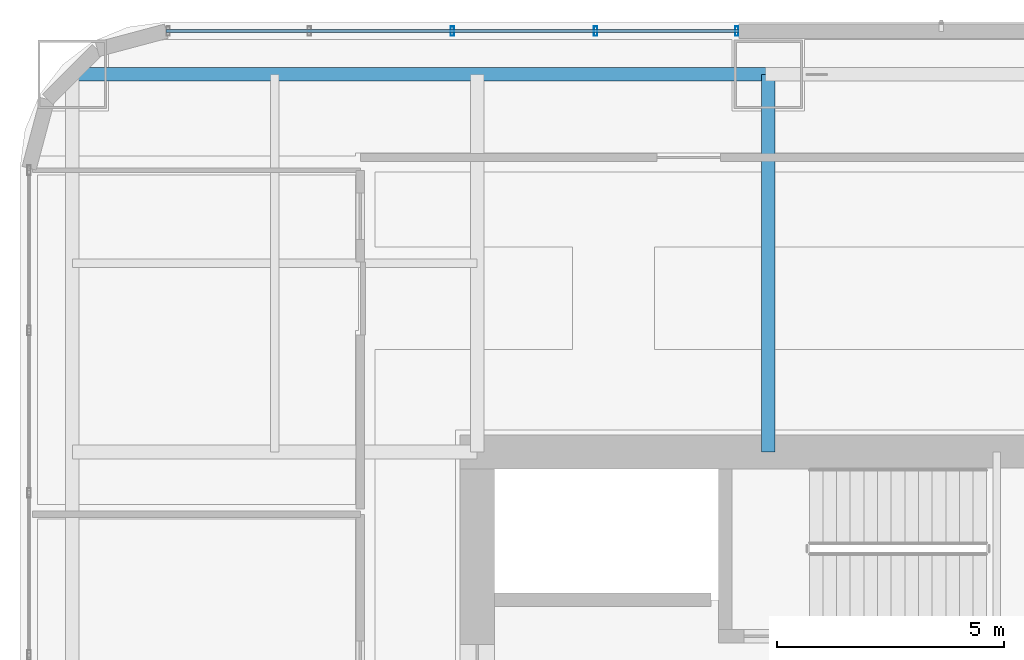
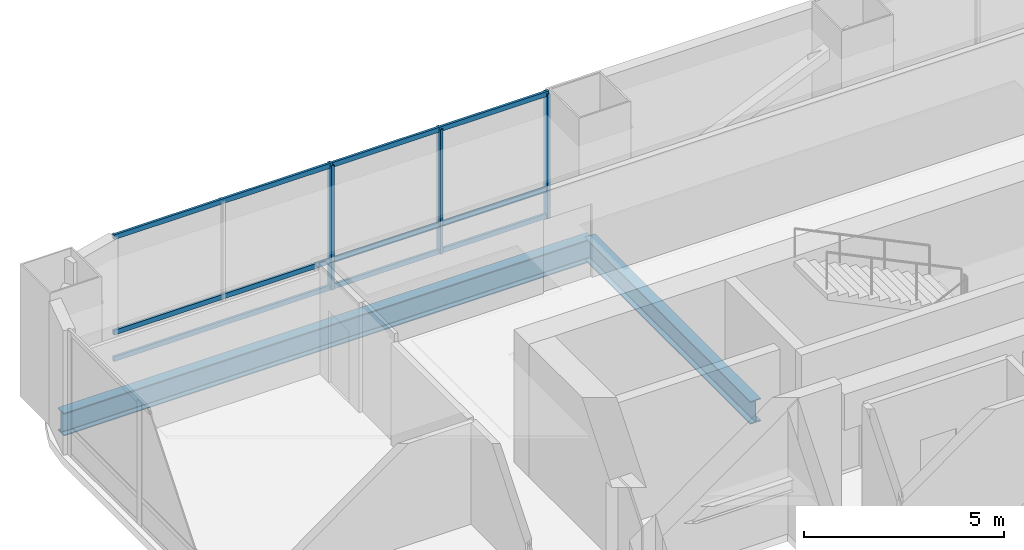
# One storey, part 18 of 40: 6 members, 2 beams, 1 element without a shape of its own.
"""IFC4 building model written with IfcOpenShell, lengths in metres."""

from ifc_helpers import new_model, si_unit, direction, frame, origin, origin_2d, place, context, subcontext, project, spatial, hollow_rectangle, i_section, extrude, material, material_profile, profile_set, type_object, element, aggregate, save


model = new_model("IFC4")

# Units and contexts
model_context = context("Model", 3, precision=1e-05, world=origin(), true_north=direction((0.0, 1.0)))
body_context = subcontext(model_context, "Body", "Model", "MODEL_VIEW")
ifc_project = project(units=[si_unit("LENGTHUNIT", "METRE"), si_unit("AREAUNIT", "SQUARE_METRE"), si_unit("VOLUMEUNIT", "CUBIC_METRE"), si_unit("PLANEANGLEUNIT", "RADIAN"), si_unit("MASSUNIT", "GRAM", prefix="KILO")], contexts=[model_context])

# Site, building, storey
site_placement = place(None, origin())
site = spatial("IfcSite", under=ifc_project, at=site_placement, CompositionType="ELEMENT")
building_placement = place(site_placement, origin())
building = spatial("IfcBuilding", under=site, at=building_placement, Name="Punatoya Terracotta Tower", CompositionType="ELEMENT")
storey_placement = place(building_placement, frame((0.0, 0.0, 76.800048828125)))
storey = spatial("IfcBuildingStorey", under=building, at=storey_placement, Name="L17", CompositionType="ELEMENT", Elevation=76.800048828125)

# Beams
ifc_material_1 = material(Name="Steel S355", Category="steel")
ifc_material_profile_1 = material_profile(ifc_material_1, i_section(OverallWidth=0.300048828125, OverallDepth=0.699951171875, WebThickness=0.01708984375, FlangeThickness=0.031982421875, FilletRadius=0.01806640625, at=origin_2d()))
ifc_profile_set_1 = profile_set([ifc_material_profile_1], Name="Steel S355")
beam_type = type_object("IfcBeamType", Name="BM-PRI-700", PredefinedType="BEAM", material=ifc_profile_set_1)
beam_1_placement = place(storey_placement, frame((-19.10009765625, 17.5, -0.590087890625), z_axis=(1.0, 0.0, 0.0), x_axis=(0.0, 1.0, 0.0)))
element("IfcBeam", 1, at=beam_1_placement, inside=storey, type_object=beam_type, Name="BM-L17-RG-N1", PredefinedType="BEAM", context=body_context, shape_type="SweptSolid", body=[
    extrude(i_section(OverallWidth=0.300048828125, OverallDepth=0.699951171875, WebThickness=0.01708984375, FlangeThickness=0.031982421875, FilletRadius=0.01806640625, at=origin_2d()), origin(), (0.0, 0.0, 1.0), 15.300048828125),
])
beam_2_placement = place(storey_placement, frame((-3.800048828125, 9.199951171875, -0.590087890625), z_axis=(0.0, 1.0, 0.0), x_axis=(-1.0, 0.0, 0.0)))
element("IfcBeam", 2, at=beam_2_placement, inside=storey, type_object=beam_type, Name="BM-L17-PR-N2", PredefinedType="BEAM", context=body_context, shape_type="SweptSolid", body=[
    extrude(i_section(OverallWidth=0.300048828125, OverallDepth=0.699951171875, WebThickness=0.01708984375, FlangeThickness=0.031982421875, FilletRadius=0.01806640625, at=origin_2d()), origin(), (0.0, 0.0, 1.0), 8.300048828125),
])

# Curtain wall, members
ifc_material_2 = material(Name="Aluminium 6063-T6 + Double Low-E Glass", Category="aluminium")
curtain_wall_type = type_object("IfcCurtainWallType", Name="CW-M1", PredefinedType="NOTDEFINED", material=ifc_material_2)
curtain_wall_placement = place(storey_placement, origin())
curtain_wall = element("IfcCurtainWall", 3, at=curtain_wall_placement, inside=storey, type_object=curtain_wall_type, Name="L17 Curtain Wall CW-L17-N09-2", PredefinedType="NOTDEFINED")
ifc_material_3 = material(Name="Aluminium 6063-T6", Category="aluminium")
ifc_material_profile_2 = material_profile(ifc_material_3, hollow_rectangle(XDim=0.074951171875, YDim=0.2099609375, WallThickness=0.00439453125, at=origin_2d()))
ifc_profile_set_2 = profile_set([ifc_material_profile_2], Name="Aluminium 6063-T6")
member_type_1 = type_object("IfcMemberType", Name="CW-MUL-M1", PredefinedType="MULLION", material=ifc_profile_set_2)
member_1_placement = place(storey_placement, frame((-4.4951171875, 18.449951171875, 0.0), z_axis=(0.0, 0.0, 1.0), x_axis=(1.0, 0.0, 0.0)))
member_1 = element("IfcMember", 4, at=member_1_placement, type_object=member_type_1, Name="CW-L17-N09-2 Mullion 00", PredefinedType="MULLION", context=body_context, shape_type="SweptSolid", body=[
    extrude(hollow_rectangle(XDim=0.074951171875, YDim=0.2099609375, WallThickness=0.00439453125, at=origin_2d()), origin(), (0.0, 0.0, 1.0), 3.81005859375),
])
member_2_placement = place(storey_placement, frame((-7.5966796875, 18.449951171875, 0.0), z_axis=(0.0, 0.0, 1.0), x_axis=(1.0, 0.0, 0.0)))
member_2 = element("IfcMember", 5, at=member_2_placement, type_object=member_type_1, Name="CW-L17-N09-2 Mullion 01", PredefinedType="MULLION", context=body_context, shape_type="SweptSolid", body=[
    extrude(hollow_rectangle(XDim=0.074951171875, YDim=0.2099609375, WallThickness=0.00439453125, at=origin_2d()), origin(), (0.0, 0.0, 1.0), 3.81005859375),
])
member_3_placement = place(storey_placement, frame((-10.743408203125, 18.449951171875, 0.0), z_axis=(0.0, 0.0, 1.0), x_axis=(1.0, 0.0, 0.0)))
member_3 = element("IfcMember", 6, at=member_3_placement, type_object=member_type_1, Name="CW-L17-N09-2 Mullion 02", PredefinedType="MULLION", context=body_context, shape_type="SweptSolid", body=[
    extrude(hollow_rectangle(XDim=0.074951171875, YDim=0.2099609375, WallThickness=0.00439453125, at=origin_2d()), origin(), (0.0, 0.0, 1.0), 3.81005859375),
])
ifc_material_profile_3 = material_profile(ifc_material_3, hollow_rectangle(XDim=0.068115234375, YDim=0.14990234375, WallThickness=0.00390625, at=origin_2d()))
ifc_profile_set_3 = profile_set([ifc_material_profile_3], Name="Aluminium 6063-T6")
member_type_2 = type_object("IfcMemberType", Name="CW-TRN-TYP", PredefinedType="USERDEFINED", material=ifc_profile_set_3)
member_4_placement = place(storey_placement, frame((-4.449951171875, 18.449951171875, 0.0400390625), z_axis=(-1.0, 0.0, 0.0), x_axis=(0.0, -1.0, 0.0)))
member_4 = element("IfcMember", 7, at=member_4_placement, type_object=member_type_2, Name="CW-L17-N09-2 Transom 1", ObjectType="TRANSOM", PredefinedType="USERDEFINED", context=body_context, shape_type="SweptSolid", body=[
    extrude(hollow_rectangle(XDim=0.068115234375, YDim=0.14990234375, WallThickness=0.00390625, at=origin_2d()), origin(), (0.0, 0.0, 1.0), 12.5869140625),
])
member_5_placement = place(storey_placement, frame((-4.449951171875, 18.449951171875, 0.849853515625), z_axis=(-1.0, 0.0, 0.0), x_axis=(0.0, -1.0, 0.0)))
member_5 = element("IfcMember", 8, at=member_5_placement, type_object=member_type_2, Name="CW-L17-N09-2 Transom 2", ObjectType="TRANSOM", PredefinedType="USERDEFINED", context=body_context, shape_type="SweptSolid", body=[
    extrude(hollow_rectangle(XDim=0.068115234375, YDim=0.14990234375, WallThickness=0.00390625, at=origin_2d()), origin(), (0.0, 0.0, 1.0), 12.5869140625),
])
member_6_placement = place(storey_placement, frame((-4.449951171875, 18.449951171875, 3.77001953125), z_axis=(-1.0, 0.0, 0.0), x_axis=(0.0, -1.0, 0.0)))
member_6 = element("IfcMember", 9, at=member_6_placement, type_object=member_type_2, Name="CW-L17-N09-2 Transom 3", ObjectType="TRANSOM", PredefinedType="USERDEFINED", context=body_context, shape_type="SweptSolid", body=[
    extrude(hollow_rectangle(XDim=0.068115234375, YDim=0.14990234375, WallThickness=0.00390625, at=origin_2d()), origin(), (0.0, 0.0, 1.0), 12.5869140625),
])
aggregate(curtain_wall, [member_1, member_2, member_3, member_4, member_5, member_6])

save(model, "model.ifc")
